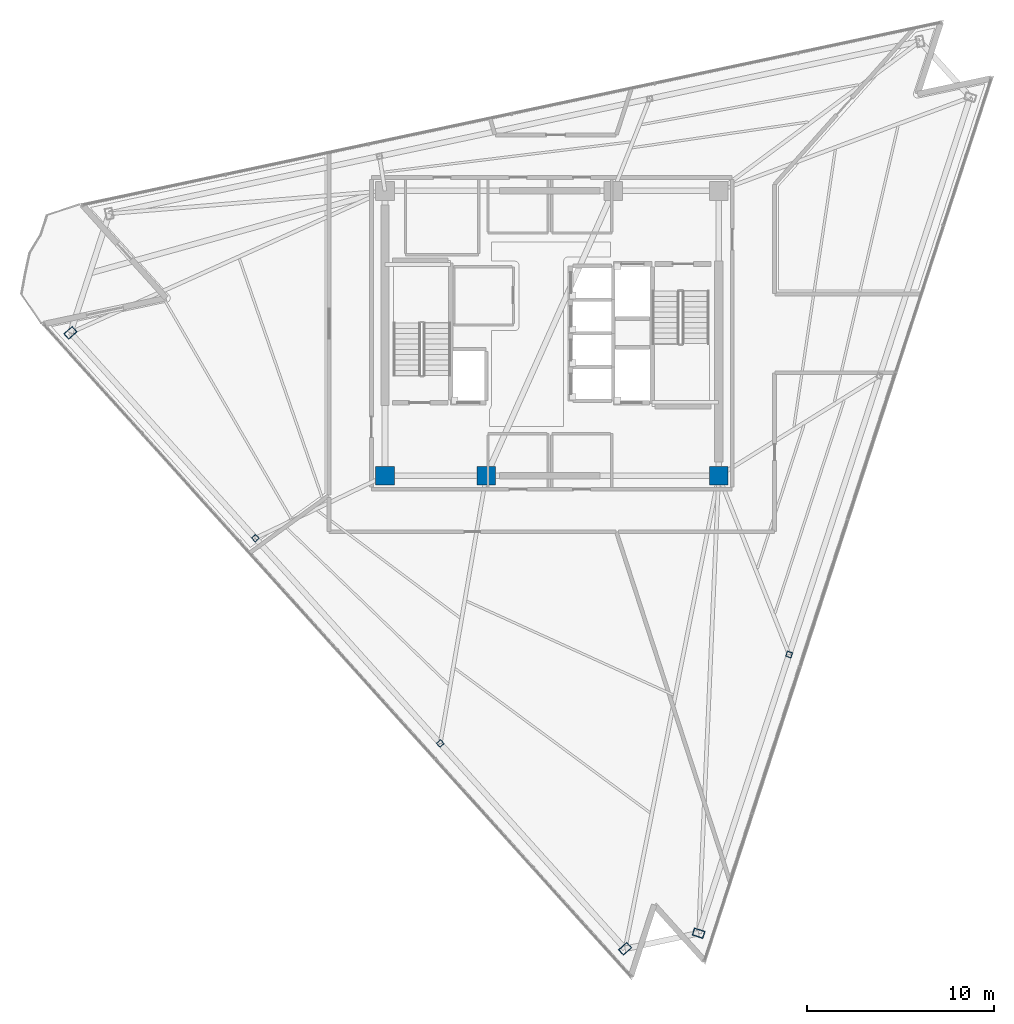
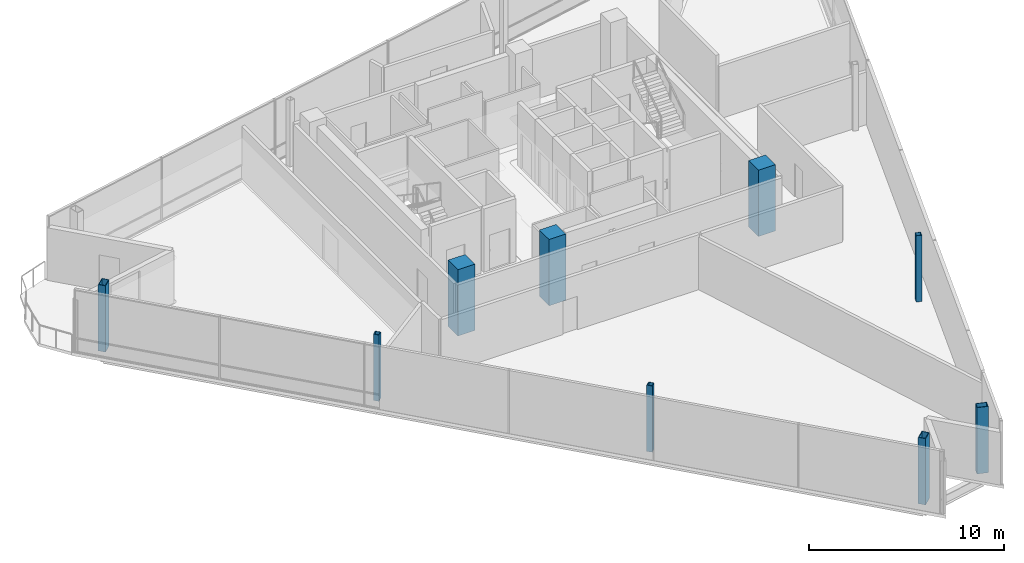
# One storey, part 1 of 16: 9 columns.
"""IFC4 building model written with IfcOpenShell, lengths in metres."""

import ifcopenshell
import ifcopenshell.guid

model = None  # the IFC model being written
_history = None  # IfcOwnerHistory: only IFC2X3 demands one
_inside = {}  # id of a spatial element -> (the spatial element, [elements in it])
_under = {}  # id of a project, library or spatial element -> (it, [spatial elements below it])
_declared = {}  # id of a project -> (the project, [libraries it declares])
_typed = {}  # id of a type object -> (the type object, [elements of that type])
_made_of = {}  # id of a material, layer set ... -> (it, [elements and type objects made of it])


def new_model(schema):
    """Start an empty IFC model of exactly this schema.

    Asked for "IFC4X3", IfcOpenShell would pick the latest addendum, in which some entities
    have other attributes; the version numbers below select the first issue.
    IFC2X3 requires an IfcOwnerHistory on every rooted entity: one is made here for all.
    """
    global model, _history
    if schema == "IFC4X3":
        model = ifcopenshell.file(schema_version=(4, 3, 0, 0))
    else:
        model = ifcopenshell.file(schema=schema)
    _inside.clear()
    _under.clear()
    _declared.clear()
    _typed.clear()
    _made_of.clear()
    _history = None
    if model.schema == "IFC2X3":
        org = make("IfcOrganization", Name="unknown")
        user = make(
            "IfcPersonAndOrganization",
            ThePerson=make("IfcPerson", FamilyName="unknown"),
            TheOrganization=org,
        )
        app = make(
            "IfcApplication",
            ApplicationDeveloper=org,
            Version="unknown",
            ApplicationFullName="unknown",
            ApplicationIdentifier="unknown",
        )
        _history = make(
            "IfcOwnerHistory",
            OwningUser=user,
            OwningApplication=app,
            ChangeAction="ADDED",
            CreationDate=0,
        )
    return model


def make(cls, **values):
    """One entity of the class cls with the attributes given. An attribute that is None is left unset."""
    return model.create_entity(
        cls, **{name: value for name, value in values.items() if value is not None}
    )


def rooted(cls, **values):
    """An entity with a GlobalId (a new one), such as an element, a storey or a relation."""
    return make(cls, GlobalId=ifcopenshell.guid.new(), OwnerHistory=_history, **values)


def si_unit(unit_type, name, prefix=None):
    """IfcSIUnit, for example si_unit("LENGTHUNIT", "METRE", prefix="MILLI")."""
    return make("IfcSIUnit", UnitType=unit_type, Prefix=prefix, Name=name)


def assignment(units):
    """IfcUnitAssignment: the units of a project."""
    return None if units is None else make("IfcUnitAssignment", Units=units)


def point(xyz):
    """IfcCartesianPoint."""
    return None if xyz is None else make("IfcCartesianPoint", Coordinates=xyz)


def direction(xyz):
    """IfcDirection."""
    return None if xyz is None else make("IfcDirection", DirectionRatios=xyz)


def frame(location, z_axis=None, x_axis=None):
    """IfcAxis2Placement3D, a coordinate frame: its origin and axes. An axis left out is left unset."""
    return make(
        "IfcAxis2Placement3D",
        Location=point(location),
        Axis=direction(z_axis),
        RefDirection=direction(x_axis),
    )


def frame_2d(location, x_axis=None):
    """IfcAxis2Placement2D, a coordinate frame in the plane: its origin and x axis."""
    return make(
        "IfcAxis2Placement2D", Location=point(location), RefDirection=direction(x_axis)
    )


def origin():
    """The frame at (0, 0, 0) with its axes left unset."""
    return frame((0.0, 0.0, 0.0))


def origin_2d():
    """The frame at (0, 0) in the plane with its x axis left unset."""
    return frame_2d((0.0, 0.0))


def place(relative_to, where):
    """IfcLocalPlacement: puts the frame where relative to a parent placement (None: the world)."""
    return make(
        "IfcLocalPlacement", PlacementRelTo=relative_to, RelativePlacement=where
    )


def context(
    kind, dimensions, precision=None, world=None, true_north=None, identifier=None
):
    """IfcGeometricRepresentationContext, for example the 3D "Model" context."""
    return make(
        "IfcGeometricRepresentationContext",
        ContextIdentifier=identifier,
        ContextType=kind,
        CoordinateSpaceDimension=dimensions,
        Precision=precision,
        WorldCoordinateSystem=world,
        TrueNorth=true_north,
    )


def subcontext(parent, identifier, kind, view, scale=None):
    """IfcGeometricRepresentationSubContext, for example "Body" below "Model"."""
    return make(
        "IfcGeometricRepresentationSubContext",
        ContextIdentifier=identifier,
        ContextType=kind,
        ParentContext=parent,
        TargetScale=scale,
        TargetView=view,
    )


def project(units=None, contexts=None):
    """IfcProject with its units and contexts."""
    return rooted(
        "IfcProject",
        Name="project",
        RepresentationContexts=contexts,
        UnitsInContext=assignment(units),
    )


def spatial(cls, under=None, at=None, **own):
    """A site, building, storey or space (cls), placed at a placement, below another one or the project."""
    s = rooted(cls, ObjectPlacement=at, **own)
    if under is not None:
        _under.setdefault(under.id(), (under, []))[1].append(s)
    return s


def profile(cls, at=None, kind="AREA", **sizes):
    """A parametric profile (cls). Its sizes go by their IFC names, for example OverallWidth=200.0."""
    return make(cls, ProfileType=kind, Position=at, **sizes)


def rectangle(**sizes):
    """IfcRectangleProfileDef."""
    return profile("IfcRectangleProfileDef", **sizes)


def hollow_rectangle(**sizes):
    """IfcRectangleHollowProfileDef."""
    return profile("IfcRectangleHollowProfileDef", **sizes)


def extrude(swept, where, along, depth):
    """IfcExtrudedAreaSolid: the profile swept, set in the frame where, extruded along a direction by depth."""
    return make(
        "IfcExtrudedAreaSolid",
        SweptArea=swept,
        Position=where,
        ExtrudedDirection=direction(along),
        Depth=depth,
    )


def shape(context_of_items, identifier, shape_type, items):
    """IfcShapeRepresentation: the items that make up one representation, for example the "Body"."""
    return make(
        "IfcShapeRepresentation",
        ContextOfItems=context_of_items,
        RepresentationIdentifier=identifier,
        RepresentationType=shape_type,
        Items=items,
    )


def material(Name=None, Category=None):
    """IfcMaterial."""
    return make("IfcMaterial", Name=Name, Category=Category)


def material_profile(
    of_material, cross_section, Name=None, Category=None, Priority=None
):
    """IfcMaterialProfile: a cross section and its material."""
    return make(
        "IfcMaterialProfile",
        Name=Name,
        Material=of_material,
        Profile=cross_section,
        Priority=Priority,
        Category=Category,
    )


def profile_set(profiles, Name=None, composite=None):
    """IfcMaterialProfileSet."""
    return make(
        "IfcMaterialProfileSet",
        Name=Name,
        MaterialProfiles=profiles,
        CompositeProfile=composite,
    )


def made_of(thing, what):
    """Note that an element or type object is made of a material, layer set ...; save() writes the relation."""
    if what is not None:
        _made_of.setdefault(what.id(), (what, []))[1].append(thing)
    return thing


def type_object(cls, material=None, **own):
    """A type object (cls), such as IfcWallType, which elements share."""
    return made_of(rooted(cls, **own), material)


def element(
    cls,
    number,
    at=None,
    inside=None,
    cuts=None,
    type_object=None,
    material=None,
    context=None,
    identifier="Body",
    shape_type=None,
    held_by="IfcProductDefinitionShape",
    body=None,
    shapes=None,
    **own,
):
    """One element of the class cls, such as IfcWall. Its Tag is "e" and its number.

    at: its placement. inside: the storey or other place that contains it. cuts: it is an
    opening in that element (IfcRelVoidsElement). A single representation is given by context,
    identifier, shape_type and body (its items); several are given by shapes. held_by: the class
    of the entity that holds the representations. save() writes the other relations.
    """
    e = rooted(cls, Tag="e%d" % number, ObjectPlacement=at, **own)
    if body is not None:
        shapes = [shape(context, identifier, shape_type, body)]
    if shapes is not None:
        e.Representation = make(held_by, Representations=shapes)
    if inside is not None:
        _inside.setdefault(inside.id(), (inside, []))[1].append(e)
    if cuts is not None:
        rooted(
            "IfcRelVoidsElement", RelatingBuildingElement=cuts, RelatedOpeningElement=e
        )
    if type_object is not None:
        _typed.setdefault(type_object.id(), (type_object, []))[1].append(e)
    return made_of(e, material)


def aggregate(whole, parts):
    """IfcRelAggregates: a whole, such as a stair, and the parts it consists of."""
    return rooted("IfcRelAggregates", RelatingObject=whole, RelatedObjects=parts)


def save(model, path):
    """Write the relations noted so far, then the file.

    IfcRelAggregates (storeys below a building ...), IfcRelContainedInSpatialStructure (elements
    in a storey), IfcRelDefinesByType, IfcRelAssociatesMaterial and IfcRelDeclares: one each for
    every whole, place, type object, material and project.
    """
    for whole, parts in _under.values():
        aggregate(whole, parts)
    for where, things in _inside.values():
        rooted(
            "IfcRelContainedInSpatialStructure",
            RelatedElements=things,
            RelatingStructure=where,
        )
    for kind, things in _typed.values():
        rooted("IfcRelDefinesByType", RelatedObjects=things, RelatingType=kind)
    for what, things in _made_of.values():
        rooted("IfcRelAssociatesMaterial", RelatedObjects=things, RelatingMaterial=what)
    for by, libraries in _declared.values():
        rooted("IfcRelDeclares", RelatingContext=by, RelatedDefinitions=libraries)
    model.write(path)


model = new_model("IFC4")

# Units and contexts
model_context = context("Model", 3, precision=1e-05, world=origin(), true_north=direction((0.0, 1.0)))
body_context = subcontext(model_context, "Body", "Model", "MODEL_VIEW")
ifc_project = project(units=[si_unit("LENGTHUNIT", "METRE"), si_unit("AREAUNIT", "SQUARE_METRE"), si_unit("VOLUMEUNIT", "CUBIC_METRE"), si_unit("PLANEANGLEUNIT", "RADIAN"), si_unit("MASSUNIT", "GRAM", prefix="KILO")], contexts=[model_context])

# Site, building, storey
site_placement = place(None, origin())
site = spatial("IfcSite", under=ifc_project, at=site_placement, CompositionType="ELEMENT")
building_placement = place(site_placement, origin())
building = spatial("IfcBuilding", under=site, at=building_placement, Name="Tharavind Bronze Gate", CompositionType="ELEMENT")
storey_placement = place(building_placement, frame((0.0, 0.0, 302.14990234375)))
storey = spatial("IfcBuildingStorey", under=building, at=storey_placement, Name="L78", CompositionType="ELEMENT", Elevation=302.14990234375)

# Columns
ifc_material_1 = material(Name="Steel S460", Category="steel")
ifc_material_profile_1 = material_profile(ifc_material_1, hollow_rectangle(XDim=0.39990234375, YDim=0.60009765625, WallThickness=0.030029296875, at=origin_2d()), Name="RHS600X400X30")
ifc_profile_set_1 = profile_set([ifc_material_profile_1], Name="Steel S460")
column_type_1 = type_object("IfcColumnType", Name="CORNER NOTCH COLUMN RHS600X400", PredefinedType="COLUMN", material=ifc_profile_set_1)
for number, where, z_axis, x_axis, name in (
    (1, (-25.6787109375, 0.03173828125, 0.0), (0.0, 0.0, 1.0), (-0.669130606359, 0.743144825477, 0.0), "L78 perimeter column S1C1"),
    (2, (3.908935546875, -32.82861328125, 0.0), (0.0, 0.0, 1.0), (-0.669130606359, 0.743144825477, 0.0), "L78 perimeter column S1C4"),
    (3, (7.829345703125, -31.99560546875, 0.0), (0.0, 0.0, 1.0), (0.309018654281, 0.951055976957, 0.0), "L78 perimeter column S2C1"),
):
    element("IfcColumn", number, at=place(storey_placement, frame(where, z_axis=z_axis, x_axis=x_axis)), inside=storey, type_object=column_type_1, Name=name, PredefinedType="COLUMN", context=body_context, shape_type="SweptSolid", body=[
        extrude(hollow_rectangle(XDim=0.39990234375, YDim=0.60009765625, WallThickness=0.030029296875, at=origin_2d()), origin(), (0.0, 0.0, 1.0), 4.150146484375),
    ])
ifc_material_2 = material(Name="Concrete C50/60", Category="concrete")
ifc_material_profile_2 = material_profile(ifc_material_2, rectangle(XDim=1.0, YDim=1.0, at=origin_2d()), Name="RCCOL1000")
ifc_profile_set_2 = profile_set([ifc_material_profile_2], Name="Concrete C50/60")
column_type_2 = type_object("IfcColumnType", Name="MEGA CORE COLUMN 1000", PredefinedType="COLUMN", material=ifc_profile_set_2)
for number, where, z_axis, x_axis, name in (
    (4, (-8.89990234375, -7.60009765625, 0.0), (0.0, 0.0, 1.0), (1.0, 0.0, 0.0), "L78 core mega column MC1"),
    (5, (-3.5, -7.60009765625, 0.0), (0.0, 0.0, 1.0), (1.0, 0.0, 0.0), "L78 core mega column MC2"),
    (6, (8.89990234375, -7.60009765625, 0.0), (0.0, 0.0, 1.0), (1.0, 0.0, 0.0), "L78 core mega column MC3"),
):
    element("IfcColumn", number, at=place(storey_placement, frame(where, z_axis=z_axis, x_axis=x_axis)), inside=storey, type_object=column_type_2, Name=name, PredefinedType="COLUMN", context=body_context, shape_type="SweptSolid", body=[
        extrude(rectangle(XDim=1.0, YDim=1.0, at=origin_2d()), origin(), (0.0, 0.0, 1.0), 4.150146484375),
    ])
ifc_material_profile_3 = material_profile(ifc_material_1, hollow_rectangle(XDim=0.300048828125, YDim=0.300048828125, WallThickness=0.02001953125, at=origin_2d()), Name="SHS300X20")
ifc_profile_set_3 = profile_set([ifc_material_profile_3], Name="Steel S460")
column_type_3 = type_object("IfcColumnType", Name="PERIMETER BOX COLUMN SHS300", PredefinedType="COLUMN", material=ifc_profile_set_3)
for number, where, z_axis, x_axis, name in (
    (7, (-15.816162109375, -10.921875, 0.0), (0.0, 0.0, 1.0), (-0.669130606359, 0.743144825477, 0.0), "L78 perimeter column S1C2"),
    (8, (-5.95361328125, -21.875244140625, 0.0), (0.0, 0.0, 1.0), (-0.669130606359, 0.743144825477, 0.0), "L78 perimeter column S1C3"),
    (9, (12.6591796875, -17.130615234375, 0.0), (0.0, 0.0, 1.0), (0.309018654281, 0.951055976957, 0.0), "L78 perimeter column S2C2"),
):
    element("IfcColumn", number, at=place(storey_placement, frame(where, z_axis=z_axis, x_axis=x_axis)), inside=storey, type_object=column_type_3, Name=name, PredefinedType="COLUMN", context=body_context, shape_type="SweptSolid", body=[
        extrude(hollow_rectangle(XDim=0.300048828125, YDim=0.300048828125, WallThickness=0.02001953125, at=origin_2d()), origin(), (0.0, 0.0, 1.0), 4.150146484375),
    ])

save(model, "model.ifc")
